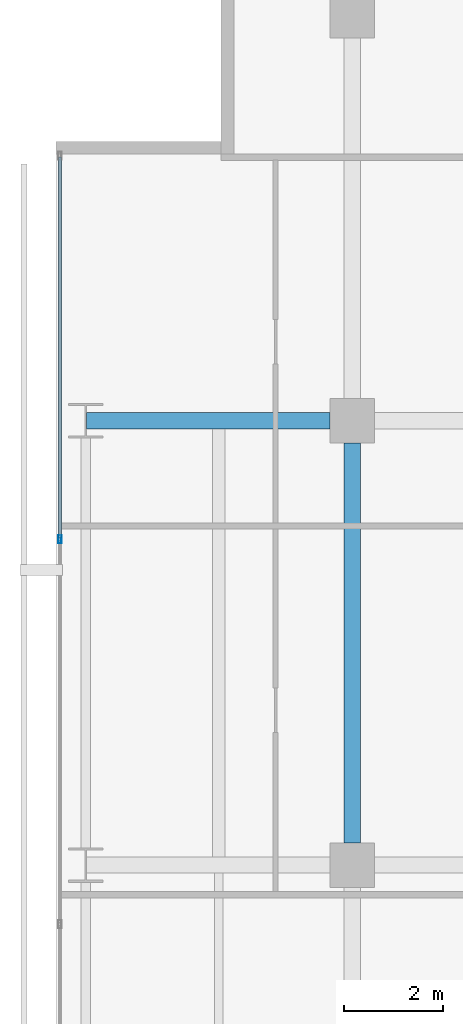
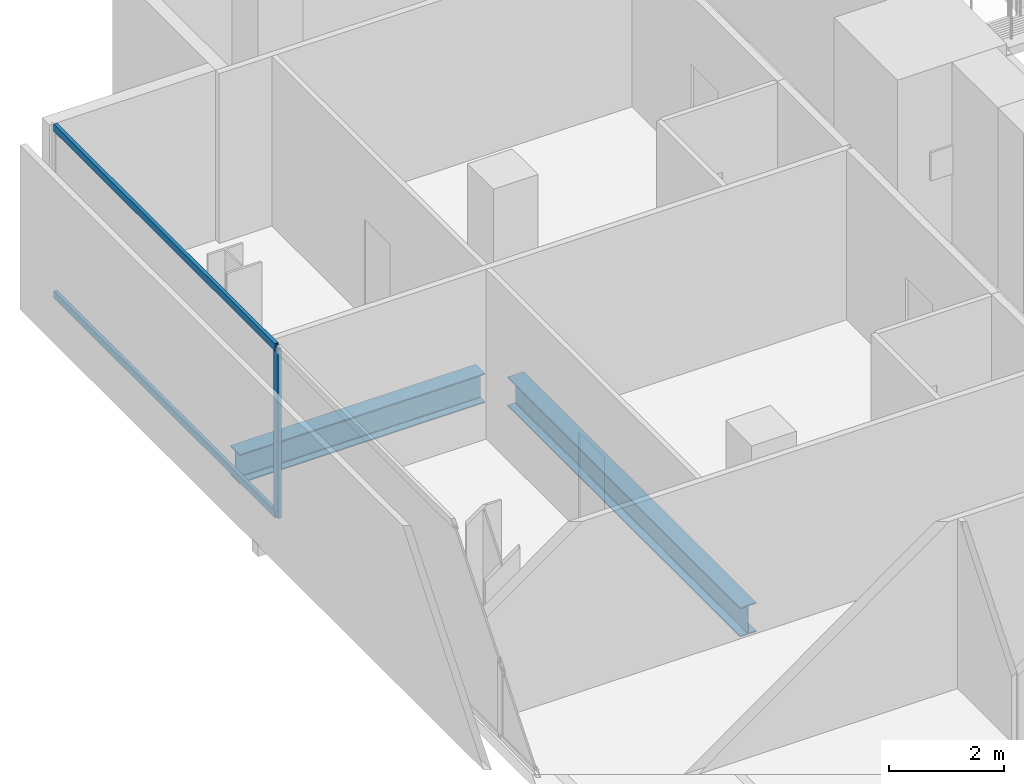
# One storey, part 23 of 40: 3 members, 2 beams, 1 element without a shape of its own.
"""IFC4 building model written with IfcOpenShell, lengths in metres."""

from ifc_helpers import new_model, si_unit, direction, frame, origin, origin_2d, place, context, subcontext, project, spatial, hollow_rectangle, i_section, extrude, material, layer, layer_set, material_profile, profile_set, type_object, element, aggregate, save


model = new_model("IFC4")

# Units and contexts
model_context = context("Model", 3, precision=1e-05, world=origin(), true_north=direction((0.0, 1.0)))
body_context = subcontext(model_context, "Body", "Model", "MODEL_VIEW")
ifc_project = project(units=[si_unit("LENGTHUNIT", "METRE"), si_unit("AREAUNIT", "SQUARE_METRE"), si_unit("VOLUMEUNIT", "CUBIC_METRE"), si_unit("PLANEANGLEUNIT", "RADIAN"), si_unit("MASSUNIT", "GRAM", prefix="KILO")], contexts=[model_context])

# Site, building, storey
site_placement = place(None, origin())
site = spatial("IfcSite", under=ifc_project, at=site_placement, CompositionType="ELEMENT")
building_placement = place(site_placement, origin())
building = spatial("IfcBuilding", under=site, at=building_placement, Name="Maruvema Waterfront Hotel and Observation Tower", CompositionType="ELEMENT")
storey_placement = place(building_placement, frame((0.0, 0.0, 42.35009765625)))
storey = spatial("IfcBuildingStorey", under=building, at=storey_placement, Name="L09", CompositionType="ELEMENT", Elevation=42.35009765625)

# Curtain wall, members
ifc_material_1 = material(Name="Anodised bronze aluminium and solar-control low-E IGU", Category="aluminium")
ifc_layer = layer(ifc_material_1, 0.159912109375, Name="Zone 1 Bronze Inner Thermal Curtain Wall System CW-02")
ifc_layer_set = layer_set([ifc_layer], Name="Anodised bronze aluminium and solar-control low-E IGU")
curtain_wall_type = type_object("IfcCurtainWallType", Name="Zone 1 Bronze Inner Thermal Curtain Wall System CW-02", PredefinedType="USERDEFINED", material=ifc_layer_set)
curtain_wall_placement = place(storey_placement, origin())
curtain_wall = element("IfcCurtainWall", 1, at=curtain_wall_placement, inside=storey, type_object=curtain_wall_type, Name="L09 Curtain Wall CW-L09-W", ObjectType="UNITISED CURTAIN WALL", PredefinedType="USERDEFINED")
ifc_material_2 = material(Name="Anodised architectural bronze aluminium", Category="aluminium")
ifc_material_profile_1 = material_profile(ifc_material_2, hollow_rectangle(XDim=0.070068359375, YDim=0.14990234375, WallThickness=0.00390625, at=origin_2d()), Name="ALU-T70x150")
ifc_profile_set_1 = profile_set([ifc_material_profile_1], Name="Anodised architectural bronze aluminium")
member_type_1 = type_object("IfcMemberType", Name="Curtain Wall Horizontal Transom ALU-T70x150", PredefinedType="USERDEFINED", material=ifc_profile_set_1)
member_1_placement = place(storey_placement, frame((10.8798828125, 50.340087890625, 0.02978515625), z_axis=(0.0, -1.0, 0.0), x_axis=(1.0, 0.0, 0.0)))
member_1 = element("IfcMember", 2, at=member_1_placement, type_object=member_type_1, Name="CW-02 transom 1.1", ObjectType="TRANSOM", PredefinedType="USERDEFINED", context=body_context, shape_type="SweptSolid", body=[
    extrude(hollow_rectangle(XDim=0.070068359375, YDim=0.14990234375, WallThickness=0.00390625, at=origin_2d()), origin(), (0.0, 0.0, 1.0), 7.710205078125),
])
member_2_placement = place(storey_placement, frame((10.8798828125, 50.340087890625, 3.579833984375), z_axis=(0.0, -1.0, 0.0), x_axis=(1.0, 0.0, 0.0)))
member_2 = element("IfcMember", 3, at=member_2_placement, type_object=member_type_1, Name="CW-02 transom 1.2", ObjectType="TRANSOM", PredefinedType="USERDEFINED", context=body_context, shape_type="SweptSolid", body=[
    extrude(hollow_rectangle(XDim=0.070068359375, YDim=0.14990234375, WallThickness=0.00390625, at=origin_2d()), origin(), (0.0, 0.0, 1.0), 7.710205078125),
])
ifc_material_3 = material(Name="Anodised architectural bronze aluminium", Category="aluminium")
ifc_material_profile_2 = material_profile(ifc_material_3, hollow_rectangle(XDim=0.06494140625, YDim=0.1650390625, WallThickness=0.00390625, at=origin_2d()), Name="ALU-M65x165")
ifc_profile_set_2 = profile_set([ifc_material_profile_2], Name="Anodised architectural bronze aluminium")
member_type_2 = type_object("IfcMemberType", Name="Curtain Wall Primary Mullion ALU-M65x165", PredefinedType="MULLION", material=ifc_profile_set_2)
member_3_placement = place(storey_placement, frame((10.8798828125, 42.60009765625, 0.0), z_axis=(0.0, 0.0, 1.0), x_axis=(1.0, 0.0, 0.0)))
member_3 = element("IfcMember", 4, at=member_3_placement, type_object=member_type_2, Name="CW-02 mullion 2", PredefinedType="MULLION", context=body_context, shape_type="SweptSolid", body=[
    extrude(hollow_rectangle(XDim=0.06494140625, YDim=0.1650390625, WallThickness=0.00390625, at=origin_2d()), origin(), (0.0, 0.0, 1.0), 3.60986328125),
])
aggregate(curtain_wall, [member_3, member_1, member_2])

# Beams
ifc_material_4 = material(Name="Steel ASTM A572 Grade 50", Category="steel")
ifc_material_profile_3 = material_profile(ifc_material_4, i_section(OverallWidth=0.326904296875, OverallDepth=0.6220703125, WebThickness=0.015380859375, FlangeThickness=0.0244140625, FilletRadius=0.01806640625, at=origin_2d()), Name="W610x195.0")
ifc_profile_set_3 = profile_set([ifc_material_profile_3], Name="Steel ASTM A572 Grade 50")
beam_type = type_object("IfcBeamType", Name="Primary Floor Girder W610x195.0", PredefinedType="BEAM", material=ifc_profile_set_3)
beam_1_placement = place(storey_placement, frame((11.4140625, 45.0, -0.551025390625), z_axis=(1.0, 0.0, 0.0), x_axis=(0.0, 1.0, 0.0)))
element("IfcBeam", 5, at=beam_1_placement, inside=storey, type_object=beam_type, Name="L09 Floor Girder EW-32", PredefinedType="BEAM", context=body_context, shape_type="SweptSolid", body=[
    extrude(i_section(OverallWidth=0.326904296875, OverallDepth=0.6220703125, WebThickness=0.015380859375, FlangeThickness=0.0244140625, FilletRadius=0.01806640625, at=origin_2d()), origin(), (0.0, 0.0, 1.0), 4.93603515625),
])
beam_2_placement = place(storey_placement, frame((16.800048828125, 36.449951171875, -0.551025390625), z_axis=(0.0, 1.0, 0.0), x_axis=(-1.0, 0.0, 0.0)))
element("IfcBeam", 6, at=beam_2_placement, inside=storey, type_object=beam_type, Name="L09 Floor Girder NS-09", PredefinedType="BEAM", context=body_context, shape_type="SweptSolid", body=[
    extrude(i_section(OverallWidth=0.326904296875, OverallDepth=0.6220703125, WebThickness=0.015380859375, FlangeThickness=0.0244140625, FilletRadius=0.01806640625, at=origin_2d()), origin(), (0.0, 0.0, 1.0), 8.10009765625),
])

save(model, "model.ifc")
